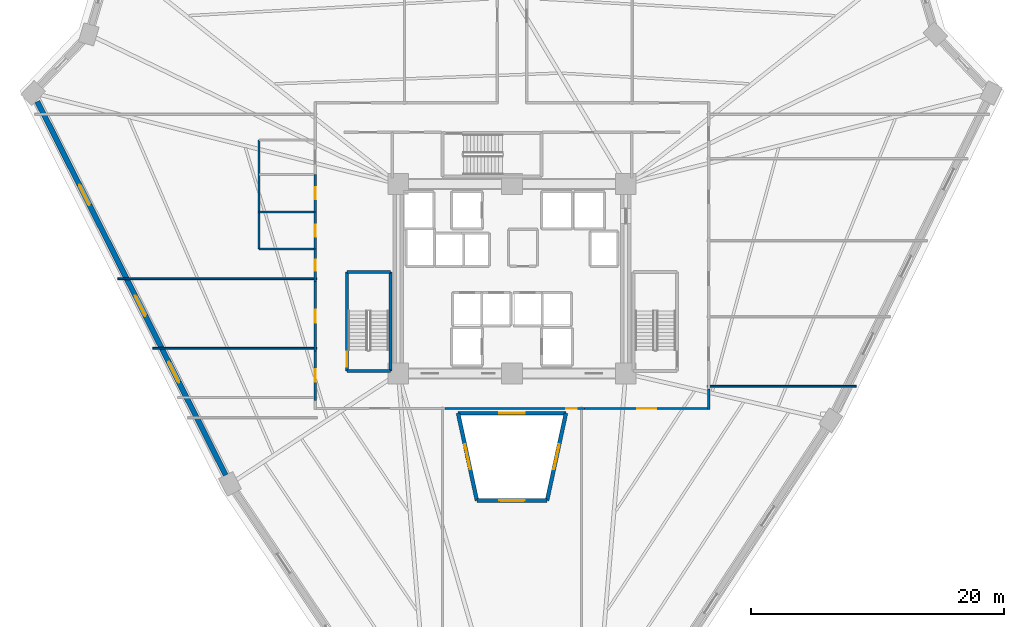
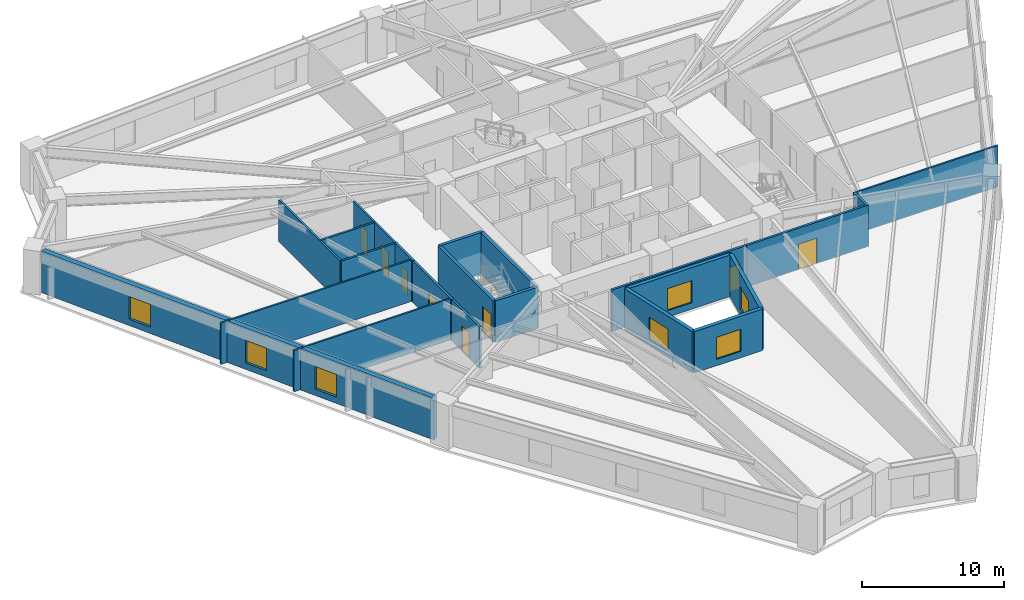
# One storey, part 3 of 9: 23 walls, 8 doors, 7 windows, 15 openings.
"""IFC4 building model written with IfcOpenShell, lengths in metres."""

from ifc_helpers import new_model, si_unit, direction, frame, frame_2d, origin, place, context, subcontext, project, spatial, rectangle, extrude, source, transform, mapped, material, layer, layer_set, type_object, element, fill, save


model = new_model("IFC4")

# Units and contexts
model_context = context("Model", 3, precision=1e-05, world=origin(), true_north=direction((0.0, 1.0)))
body_context = subcontext(model_context, "Body", "Model", "MODEL_VIEW")
ifc_project = project(units=[si_unit("LENGTHUNIT", "METRE"), si_unit("AREAUNIT", "SQUARE_METRE"), si_unit("VOLUMEUNIT", "CUBIC_METRE"), si_unit("PLANEANGLEUNIT", "RADIAN"), si_unit("MASSUNIT", "GRAM", prefix="KILO")], contexts=[model_context])

# Site, building, storey
site_placement = place(None, origin())
site = spatial("IfcSite", under=ifc_project, at=site_placement, CompositionType="ELEMENT")
building_placement = place(site_placement, origin())
building = spatial("IfcBuilding", under=site, at=building_placement, Name="Liaohun Quay Tower", CompositionType="ELEMENT")
storey_placement = place(building_placement, frame((0.0, 0.0, 74.25)))
storey = spatial("IfcBuildingStorey", under=building, at=storey_placement, Name="L19", CompositionType="ELEMENT", Elevation=74.25)

# Wall, opening, window
ifc_material_1 = material(Name="Concrete C50", Category="concrete")
ifc_layer_1 = layer(ifc_material_1, 0.300048828125, Name="Concrete C50", Category="concrete")
ifc_layer_set_1 = layer_set([ifc_layer_1], Name="Concrete C50")
wall_type_1 = type_object("IfcWallType", Name="WAL-ATR-300", PredefinedType="SOLIDWALL", material=ifc_layer_set_1)
wall_1_placement = place(storey_placement, frame((57.22607421875, 36.4609375, 0.0), z_axis=(0.0, 0.0, 1.0), x_axis=(-0.211368462484, 0.977406452336, 0.0)))
wall_1 = element("IfcWall", 1, at=wall_1_placement, inside=storey, type_object=wall_type_1, Name="L19 Atrium Fire Compartment Wall 1", PredefinedType="SOLIDWALL", context=body_context, shape_type="SweptSolid", body=[
    extrude(rectangle(XDim=7.06884765625, YDim=0.300048828125, at=frame_2d((3.534423828125, 0.0))), origin(), (0.0, 0.0, 1.0), 3.570068359375),
])
shared_shape_1 = source(origin(), body_context, "Body", "SweptSolid", [
    extrude(rectangle(XDim=2.0, YDim=1.89990234375, at=frame_2d((1.0, 0.949951171875))), frame((0.0, 0.159912109375, 0.0), z_axis=(0.0, -1.0, 0.0), x_axis=(1.0, 0.0, 0.0)), (0.0, 0.0, 1.0), 0.320068359375),
])
opening_1_placement = place(wall_1_placement, frame((2.533935546875, 0.0, 0.550048828125)))
opening_1 = element("IfcOpeningElement", 2, at=opening_1_placement, cuts=wall_1, Name="Opening W07", PredefinedType="OPENING", context=body_context, shape_type="MappedRepresentation", body=[
    mapped(shared_shape_1, transform((0.0, 0.0, 0.0), x_axis=(1.0, 0.0, 0.0), y_axis=(0.0, 1.0, 0.0), z_axis=(0.0, 0.0, 1.0), scale=1.0)),
])
ifc_material_2 = material(Name="Class A 180-min fire-resistant insulated glazing", Category="glass")
window_type_1 = type_object("IfcWindowType", Name="WIN-ATR-FIR", PartitioningType="DOUBLE_PANEL_VERTICAL", PredefinedType="WINDOW", material=ifc_material_2)
shared_shape_2 = source(origin(), body_context, "Body", "SweptSolid", [
    extrude(rectangle(XDim=2.0, YDim=1.89990234375, at=frame_2d((1.0, 0.949951171875))), frame((0.0, 0.030029296875, 0.0), z_axis=(0.0, -1.0, 0.0), x_axis=(1.0, 0.0, 0.0)), (0.0, 0.0, 1.0), 0.06005859375),
])
window_1_placement = place(opening_1_placement, origin())
window_1 = element("IfcWindow", 3, at=window_1_placement, inside=storey, type_object=window_type_1, Name="L19 Atrium Fire-Resistant Glazing W07-1", OverallHeight=1.89990234375, OverallWidth=2.0, PartitioningType="DOUBLE_PANEL_VERTICAL", PredefinedType="WINDOW", context=body_context, shape_type="MappedRepresentation", body=[
    mapped(shared_shape_2, transform((0.0, 0.0, 0.0), x_axis=(1.0, 0.0, 0.0), y_axis=(0.0, 1.0, 0.0), z_axis=(0.0, 0.0, 1.0), scale=1.0)),
])
fill(opening_1, window_1)

wall_2_placement = place(storey_placement, frame((55.73193359375, 43.3701171875, 0.0), z_axis=(0.0, 0.0, 1.0), x_axis=(1.0, 0.0, 0.0)))
wall_2 = element("IfcWall", 4, at=wall_2_placement, inside=storey, type_object=wall_type_1, Name="L19 Atrium Fire Compartment Wall 2", PredefinedType="SOLIDWALL", context=body_context, shape_type="SweptSolid", body=[
    extrude(rectangle(XDim=8.5361328125, YDim=0.300048828125, at=frame_2d((4.26806640625, 0.0))), origin(), (0.0, 0.0, 1.0), 3.570068359375),
])
opening_2_placement = place(wall_2_placement, frame((3.26806640625, 0.0, 0.550048828125)))
opening_2 = element("IfcOpeningElement", 5, at=opening_2_placement, cuts=wall_2, Name="Opening W07", PredefinedType="OPENING", context=body_context, shape_type="MappedRepresentation", body=[
    mapped(shared_shape_1, transform((0.0, 0.0, 0.0), x_axis=(1.0, 0.0, 0.0), y_axis=(0.0, 1.0, 0.0), z_axis=(0.0, 0.0, 1.0), scale=1.0)),
])
window_2_placement = place(opening_2_placement, origin())
window_2 = element("IfcWindow", 6, at=window_2_placement, inside=storey, type_object=window_type_1, Name="L19 Atrium Fire-Resistant Glazing W07-2", OverallHeight=1.89990234375, OverallWidth=2.0, PartitioningType="DOUBLE_PANEL_VERTICAL", PredefinedType="WINDOW", context=body_context, shape_type="MappedRepresentation", body=[
    mapped(shared_shape_2, transform((0.0, 0.0, 0.0), x_axis=(1.0, 0.0, 0.0), y_axis=(0.0, 1.0, 0.0), z_axis=(0.0, 0.0, 1.0), scale=1.0)),
])
fill(opening_2, window_2)

wall_3_placement = place(storey_placement, frame((64.26806640625, 43.3701171875, 0.0), z_axis=(0.0, 0.0, 1.0), x_axis=(-0.211368462484, -0.977406452336, 0.0)))
wall_3 = element("IfcWall", 7, at=wall_3_placement, inside=storey, type_object=wall_type_1, Name="L19 Atrium Fire Compartment Wall 3", PredefinedType="SOLIDWALL", context=body_context, shape_type="SweptSolid", body=[
    extrude(rectangle(XDim=7.06884765625, YDim=0.300048828125, at=frame_2d((3.534423828125, 0.0))), origin(), (0.0, 0.0, 1.0), 3.570068359375),
])
opening_3_placement = place(wall_3_placement, frame((2.533935546875, 0.0, 0.550048828125)))
opening_3 = element("IfcOpeningElement", 8, at=opening_3_placement, cuts=wall_3, Name="Opening W07", PredefinedType="OPENING", context=body_context, shape_type="MappedRepresentation", body=[
    mapped(shared_shape_1, transform((0.0, 0.0, 0.0), x_axis=(1.0, 0.0, 0.0), y_axis=(0.0, 1.0, 0.0), z_axis=(0.0, 0.0, 1.0), scale=1.0)),
])
window_3_placement = place(opening_3_placement, origin())
window_3 = element("IfcWindow", 9, at=window_3_placement, inside=storey, type_object=window_type_1, Name="L19 Atrium Fire-Resistant Glazing W07-3", OverallHeight=1.89990234375, OverallWidth=2.0, PartitioningType="DOUBLE_PANEL_VERTICAL", PredefinedType="WINDOW", context=body_context, shape_type="MappedRepresentation", body=[
    mapped(shared_shape_2, transform((0.0, 0.0, 0.0), x_axis=(1.0, 0.0, 0.0), y_axis=(0.0, 1.0, 0.0), z_axis=(0.0, 0.0, 1.0), scale=1.0)),
])
fill(opening_3, window_3)

wall_4_placement = place(storey_placement, frame((62.77392578125, 36.4609375, 0.0), z_axis=(0.0, 0.0, 1.0), x_axis=(-1.0, 0.0, 0.0)))
wall_4 = element("IfcWall", 10, at=wall_4_placement, inside=storey, type_object=wall_type_1, Name="L19 Atrium Fire Compartment Wall 4", PredefinedType="SOLIDWALL", context=body_context, shape_type="SweptSolid", body=[
    extrude(rectangle(XDim=5.5478515625, YDim=0.300048828125, at=frame_2d((2.77392578125, 0.0))), origin(), (0.0, 0.0, 1.0), 3.570068359375),
])
opening_4_placement = place(wall_4_placement, frame((1.77392578125, 0.0, 0.550048828125)))
opening_4 = element("IfcOpeningElement", 11, at=opening_4_placement, cuts=wall_4, Name="Opening W07", PredefinedType="OPENING", context=body_context, shape_type="MappedRepresentation", body=[
    mapped(shared_shape_1, transform((0.0, 0.0, 0.0), x_axis=(1.0, 0.0, 0.0), y_axis=(0.0, 1.0, 0.0), z_axis=(0.0, 0.0, 1.0), scale=1.0)),
])
window_4_placement = place(opening_4_placement, origin())
window_4 = element("IfcWindow", 12, at=window_4_placement, inside=storey, type_object=window_type_1, Name="L19 Atrium Fire-Resistant Glazing W07-4", OverallHeight=1.89990234375, OverallWidth=2.0, PartitioningType="DOUBLE_PANEL_VERTICAL", PredefinedType="WINDOW", context=body_context, shape_type="MappedRepresentation", body=[
    mapped(shared_shape_2, transform((0.0, 0.0, 0.0), x_axis=(1.0, 0.0, 0.0), y_axis=(0.0, 1.0, 0.0), z_axis=(0.0, 0.0, 1.0), scale=1.0)),
])
fill(opening_4, window_4)

# Wall, openings, windows
ifc_material_3 = material(Name="Precast concrete C50 insulated sandwich", Category="concrete")
ifc_layer_2 = layer(ifc_material_3, 0.419921875, Name="Precast concrete C50 insulated sandwich", Category="concrete")
ifc_layer_set_2 = layer_set([ifc_layer_2], Name="Precast concrete C50 insulated sandwich")
wall_type_2 = type_object("IfcWallType", Name="WAL-EXT-Z12", PredefinedType="SOLIDWALL", material=ifc_layer_set_2)
wall_5_placement = place(storey_placement, frame((22.4619140625, 68.010009765625, 0.0), z_axis=(0.0, 0.0, 1.0), x_axis=(0.450259201953, -0.89289789509, 0.0)))
wall_5 = element("IfcWall", 13, at=wall_5_placement, inside=storey, type_object=wall_type_2, Name="L19 Brutalist Precast Pier Wall 10", PredefinedType="SOLIDWALL", context=body_context, shape_type="SweptSolid", body=[
    extrude(rectangle(XDim=33.094482421875, YDim=0.419921875, at=frame_2d((16.54736328125, 0.0))), origin(), (0.0, 0.0, 1.0), 3.570068359375),
])
shared_shape_3 = source(origin(), body_context, "Body", "SweptSolid", [
    extrude(rectangle(XDim=1.800048828125, YDim=1.949951171875, at=frame_2d((0.89990234375, 0.97509765625))), frame((0.0, 0.219970703125, 0.0), z_axis=(0.0, -1.0, 0.0), x_axis=(1.0, 0.0, 0.0)), (0.0, 0.0, 1.0), 0.43994140625),
])
opening_5_placement = place(wall_5_placement, frame((7.3740234375, 0.0, 0.550048828125)))
opening_5 = element("IfcOpeningElement", 14, at=opening_5_placement, cuts=wall_5, Name="Opening W01", PredefinedType="OPENING", context=body_context, shape_type="MappedRepresentation", body=[
    mapped(shared_shape_3, transform((0.0, 0.0, 0.0), x_axis=(1.0, 0.0, 0.0), y_axis=(0.0, 1.0, 0.0), z_axis=(0.0, 0.0, 1.0), scale=1.0)),
])
opening_6_placement = place(wall_5_placement, frame((17.197021484375, 0.0, 0.550048828125)))
opening_6 = element("IfcOpeningElement", 15, at=opening_6_placement, cuts=wall_5, Name="Opening W01", PredefinedType="OPENING", context=body_context, shape_type="MappedRepresentation", body=[
    mapped(shared_shape_3, transform((0.0, 0.0, 0.0), x_axis=(1.0, 0.0, 0.0), y_axis=(0.0, 1.0, 0.0), z_axis=(0.0, 0.0, 1.0), scale=1.0)),
])
opening_7_placement = place(wall_5_placement, frame((23.071044921875, 0.0, 0.550048828125)))
opening_7 = element("IfcOpeningElement", 16, at=opening_7_placement, cuts=wall_5, Name="Opening W01", PredefinedType="OPENING", context=body_context, shape_type="MappedRepresentation", body=[
    mapped(shared_shape_3, transform((0.0, 0.0, 0.0), x_axis=(1.0, 0.0, 0.0), y_axis=(0.0, 1.0, 0.0), z_axis=(0.0, 0.0, 1.0), scale=1.0)),
])
ifc_material_4 = material(Name="Triple Low-E argon glazing in thermally broken aluminium", Category="aluminium")
window_type_2 = type_object("IfcWindowType", Name="WIN-PUN-Z1", PartitioningType="DOUBLE_PANEL_VERTICAL", PredefinedType="WINDOW", material=ifc_material_4)
shared_shape_4 = source(origin(), body_context, "Body", "SweptSolid", [
    extrude(rectangle(XDim=1.800048828125, YDim=1.949951171875, at=frame_2d((0.89990234375, 0.97509765625))), frame((0.0, 0.030029296875, 0.0), z_axis=(0.0, -1.0, 0.0), x_axis=(1.0, 0.0, 0.0)), (0.0, 0.0, 1.0), 0.06005859375),
])
window_5_placement = place(opening_5_placement, origin())
window_5 = element("IfcWindow", 17, at=window_5_placement, inside=storey, type_object=window_type_2, Name="L19 Recessed Cold-Climate Punched Window 10-1", OverallHeight=1.949951171875, OverallWidth=1.800048828125, PartitioningType="DOUBLE_PANEL_VERTICAL", PredefinedType="WINDOW", context=body_context, shape_type="MappedRepresentation", body=[
    mapped(shared_shape_4, transform((0.0, 0.0, 0.0), x_axis=(1.0, 0.0, 0.0), y_axis=(0.0, 1.0, 0.0), z_axis=(0.0, 0.0, 1.0), scale=1.0)),
])
fill(opening_5, window_5)
window_6_placement = place(opening_6_placement, origin())
window_6 = element("IfcWindow", 18, at=window_6_placement, inside=storey, type_object=window_type_2, Name="L19 Recessed Cold-Climate Punched Window 10-2", OverallHeight=1.949951171875, OverallWidth=1.800048828125, PartitioningType="DOUBLE_PANEL_VERTICAL", PredefinedType="WINDOW", context=body_context, shape_type="MappedRepresentation", body=[
    mapped(shared_shape_4, transform((0.0, 0.0, 0.0), x_axis=(1.0, 0.0, 0.0), y_axis=(0.0, 1.0, 0.0), z_axis=(0.0, 0.0, 1.0), scale=1.0)),
])
fill(opening_6, window_6)
window_7_placement = place(opening_7_placement, origin())
window_7 = element("IfcWindow", 19, at=window_7_placement, inside=storey, type_object=window_type_2, Name="L19 Recessed Cold-Climate Punched Window 10-3", OverallHeight=1.949951171875, OverallWidth=1.800048828125, PartitioningType="DOUBLE_PANEL_VERTICAL", PredefinedType="WINDOW", context=body_context, shape_type="MappedRepresentation", body=[
    mapped(shared_shape_4, transform((0.0, 0.0, 0.0), x_axis=(1.0, 0.0, 0.0), y_axis=(0.0, 1.0, 0.0), z_axis=(0.0, 0.0, 1.0), scale=1.0)),
])
fill(opening_7, window_7)

# Wall, opening, door
ifc_material_5 = material(Name="Autoclaved aerated concrete blockwork", Category="masonry")
ifc_layer_3 = layer(ifc_material_5, 0.179931640625, Name="Autoclaved aerated concrete blockwork", Category="masonry")
ifc_layer_set_3 = layer_set([ifc_layer_3], Name="Autoclaved aerated concrete blockwork")
wall_type_3 = type_object("IfcWallType", Name="WAL-PRT-COR", PredefinedType="PARTITIONING", material=ifc_layer_set_3)
wall_6_placement = place(storey_placement, frame((44.43994140625, 53.784912109375, 0.0), z_axis=(0.0, 0.0, 1.0), x_axis=(0.0, 1.0, 0.0)))
wall_6 = element("IfcWall", 20, at=wall_6_placement, inside=storey, type_object=wall_type_3, Name="L19 Interior Partition Wall 016", PredefinedType="PARTITIONING", context=body_context, shape_type="SweptSolid", body=[
    extrude(rectangle(XDim=2.55517578125, YDim=0.179931640625, at=frame_2d((1.277587890625, 0.0))), origin(), (0.0, 0.0, 1.0), 3.570068359375),
])
shared_shape_5 = source(origin(), body_context, "Body", "SweptSolid", [
    extrude(rectangle(XDim=0.85009765625, YDim=2.10009765625, at=frame_2d((0.425048828125, 1.050048828125))), frame((0.0, 0.099853515625, 0.0), z_axis=(0.0, -1.0, 0.0), x_axis=(1.0, 0.0, 0.0)), (0.0, 0.0, 1.0), 0.199951171875),
])
opening_8_placement = place(wall_6_placement, frame((0.85302734375, 0.0, 0.0)))
opening_8 = element("IfcOpeningElement", 21, at=opening_8_placement, cuts=wall_6, Name="Opening AD1", PredefinedType="OPENING", context=body_context, shape_type="MappedRepresentation", body=[
    mapped(shared_shape_5, transform((0.0, 0.0, 0.0), x_axis=(1.0, 0.0, 0.0), y_axis=(0.0, 1.0, 0.0), z_axis=(0.0, 0.0, 1.0), scale=1.0)),
])
ifc_material_6 = material(Name="Steel riser inspection fire door", Category="steel")
door_type_1 = type_object("IfcDoorType", Name="DOR-SHF-850", OperationType="NOTDEFINED", PredefinedType="DOOR", material=ifc_material_6)
shared_shape_6 = source(origin(), body_context, "Body", "SweptSolid", [
    extrude(rectangle(XDim=0.85009765625, YDim=2.10009765625, at=frame_2d((0.425048828125, 1.050048828125))), frame((0.0, 0.02490234375, 0.0), z_axis=(0.0, -1.0, 0.0), x_axis=(1.0, 0.0, 0.0)), (0.0, 0.0, 1.0), 0.050048828125),
])
door_1_placement = place(opening_8_placement, origin())
door_1 = element("IfcDoor", 22, at=door_1_placement, inside=storey, type_object=door_type_1, Name="L19 Occupational Wellness Clinic 08 Door", OperationType="SINGLE_SWING_RIGHT", OverallHeight=2.10009765625, OverallWidth=0.85009765625, PredefinedType="DOOR", context=body_context, shape_type="MappedRepresentation", body=[
    mapped(shared_shape_6, transform((0.0, 0.0, 0.0), x_axis=(1.0, 0.0, 0.0), y_axis=(0.0, 1.0, 0.0), z_axis=(0.0, 0.0, 1.0), scale=1.0)),
])
fill(opening_8, door_1)

wall_7_placement = place(storey_placement, frame((44.43994140625, 48.284912109375, 0.0), z_axis=(0.0, 0.0, 1.0), x_axis=(0.0, 1.0, 0.0)))
wall_7 = element("IfcWall", 23, at=wall_7_placement, inside=storey, type_object=wall_type_3, Name="L19 Interior Partition Wall 017", PredefinedType="PARTITIONING", context=body_context, shape_type="SweptSolid", body=[
    extrude(rectangle(XDim=5.5, YDim=0.179931640625, at=frame_2d((2.75, 0.0))), origin(), (0.0, 0.0, 1.0), 3.570068359375),
])
shared_shape_7 = source(origin(), body_context, "Body", "SweptSolid", [
    extrude(rectangle(XDim=1.0, YDim=2.199951171875, at=frame_2d((0.5, 1.10009765625))), frame((0.0, 0.099853515625, 0.0), z_axis=(0.0, -1.0, 0.0), x_axis=(1.0, 0.0, 0.0)), (0.0, 0.0, 1.0), 0.199951171875),
])
opening_9_placement = place(wall_7_placement, frame((2.25, 0.0, 0.0)))
opening_9 = element("IfcOpeningElement", 24, at=opening_9_placement, cuts=wall_7, Name="Opening OD1", PredefinedType="OPENING", context=body_context, shape_type="MappedRepresentation", body=[
    mapped(shared_shape_7, transform((0.0, 0.0, 0.0), x_axis=(1.0, 0.0, 0.0), y_axis=(0.0, 1.0, 0.0), z_axis=(0.0, 0.0, 1.0), scale=1.0)),
])
ifc_material_7 = material(Name="Solid-core oak veneer timber leaf in steel frame", Category="steel")
door_type_2 = type_object("IfcDoorType", Name="DOR-OFF-1000", OperationType="NOTDEFINED", PredefinedType="DOOR", material=ifc_material_7)
shared_shape_8 = source(origin(), body_context, "Body", "SweptSolid", [
    extrude(rectangle(XDim=1.0, YDim=2.199951171875, at=frame_2d((0.5, 1.10009765625))), frame((0.0, 0.02490234375, 0.0), z_axis=(0.0, -1.0, 0.0), x_axis=(1.0, 0.0, 0.0)), (0.0, 0.0, 1.0), 0.050048828125),
])
door_2_placement = place(opening_9_placement, origin())
door_2 = element("IfcDoor", 25, at=door_2_placement, inside=storey, type_object=door_type_2, Name="L19 Records Archive Store 09 Door", OperationType="SINGLE_SWING_LEFT", OverallHeight=2.199951171875, OverallWidth=1.0, PredefinedType="DOOR", context=body_context, shape_type="MappedRepresentation", body=[
    mapped(shared_shape_8, transform((0.0, 0.0, 0.0), x_axis=(1.0, 0.0, 0.0), y_axis=(0.0, 1.0, 0.0), z_axis=(0.0, 0.0, 1.0), scale=1.0)),
])
fill(opening_9, door_2)

wall_8_placement = place(storey_placement, frame((44.43994140625, 44.385009765625, 0.0), z_axis=(0.0, 0.0, 1.0), x_axis=(0.0, 1.0, 0.0)))
wall_8 = element("IfcWall", 26, at=wall_8_placement, inside=storey, type_object=wall_type_3, Name="L19 Interior Partition Wall 018", PredefinedType="PARTITIONING", context=body_context, shape_type="SweptSolid", body=[
    extrude(rectangle(XDim=3.89990234375, YDim=0.179931640625, at=frame_2d((1.949951171875, 0.0))), origin(), (0.0, 0.0, 1.0), 3.570068359375),
])
opening_10_placement = place(wall_8_placement, frame((1.449951171875, 0.0, 0.0)))
opening_10 = element("IfcOpeningElement", 27, at=opening_10_placement, cuts=wall_8, Name="Opening OD1", PredefinedType="OPENING", context=body_context, shape_type="MappedRepresentation", body=[
    mapped(shared_shape_7, transform((0.0, 0.0, 0.0), x_axis=(1.0, 0.0, 0.0), y_axis=(0.0, 1.0, 0.0), z_axis=(0.0, 0.0, 1.0), scale=1.0)),
])
door_3_placement = place(opening_10_placement, origin())
door_3 = element("IfcDoor", 28, at=door_3_placement, inside=storey, type_object=door_type_2, Name="L19 Open-Plan Office Workplace 10 Door", OperationType="SINGLE_SWING_RIGHT", OverallHeight=2.199951171875, OverallWidth=1.0, PredefinedType="DOOR", context=body_context, shape_type="MappedRepresentation", body=[
    mapped(shared_shape_8, transform((0.0, 0.0, 0.0), x_axis=(1.0, 0.0, 0.0), y_axis=(0.0, 1.0, 0.0), z_axis=(0.0, 0.0, 1.0), scale=1.0)),
])
fill(opening_10, door_3)

wall_9_placement = place(storey_placement, frame((65.715087890625, 43.739990234375, 0.0), z_axis=(0.0, 0.0, 1.0), x_axis=(-1.0, 0.0, 0.0)))
wall_9 = element("IfcWall", 29, at=wall_9_placement, inside=storey, type_object=wall_type_3, Name="L19 Interior Partition Wall 020", PredefinedType="PARTITIONING", context=body_context, shape_type="SweptSolid", body=[
    extrude(rectangle(XDim=11.0, YDim=0.179931640625, at=frame_2d((5.5, 0.0))), origin(), (0.0, 0.0, 1.0), 3.570068359375),
])
opening_11_placement = place(wall_9_placement, frame((0.574951171875, 0.0, 0.0)))
opening_11 = element("IfcOpeningElement", 30, at=opening_11_placement, cuts=wall_9, Name="Opening AD1", PredefinedType="OPENING", context=body_context, shape_type="MappedRepresentation", body=[
    mapped(shared_shape_5, transform((0.0, 0.0, 0.0), x_axis=(1.0, 0.0, 0.0), y_axis=(0.0, 1.0, 0.0), z_axis=(0.0, 0.0, 1.0), scale=1.0)),
])
door_4_placement = place(opening_11_placement, origin())
door_4 = element("IfcDoor", 31, at=door_4_placement, inside=storey, type_object=door_type_1, Name="L19 Client Reception Office 12 Door", OperationType="SINGLE_SWING_RIGHT", OverallHeight=2.10009765625, OverallWidth=0.85009765625, PredefinedType="DOOR", context=body_context, shape_type="MappedRepresentation", body=[
    mapped(shared_shape_6, transform((0.0, 0.0, 0.0), x_axis=(1.0, 0.0, 0.0), y_axis=(0.0, 1.0, 0.0), z_axis=(0.0, 0.0, 1.0), scale=1.0)),
])
fill(opening_11, door_4)

wall_10_placement = place(storey_placement, frame((75.6298828125, 43.739990234375, 0.0), z_axis=(0.0, 0.0, 1.0), x_axis=(-1.0, 0.0, 0.0)))
wall_10 = element("IfcWall", 32, at=wall_10_placement, inside=storey, type_object=wall_type_3, Name="L19 Interior Partition Wall 021", PredefinedType="PARTITIONING", context=body_context, shape_type="SweptSolid", body=[
    extrude(rectangle(XDim=9.914794921875, YDim=0.179931640625, at=frame_2d((4.95751953125, 0.0))), origin(), (0.0, 0.0, 1.0), 3.570068359375),
])
shared_shape_9 = source(origin(), body_context, "Body", "SweptSolid", [
    extrude(rectangle(XDim=1.5, YDim=2.199951171875, at=frame_2d((0.75, 1.10009765625))), frame((0.0, 0.099853515625, 0.0), z_axis=(0.0, -1.0, 0.0), x_axis=(1.0, 0.0, 0.0)), (0.0, 0.0, 1.0), 0.199951171875),
])
opening_12_placement = place(wall_10_placement, frame((4.20703125, 0.0, 0.0)))
opening_12 = element("IfcOpeningElement", 33, at=opening_12_placement, cuts=wall_10, Name="Opening OD2", PredefinedType="OPENING", context=body_context, shape_type="MappedRepresentation", body=[
    mapped(shared_shape_9, transform((0.0, 0.0, 0.0), x_axis=(1.0, 0.0, 0.0), y_axis=(0.0, 1.0, 0.0), z_axis=(0.0, 0.0, 1.0), scale=1.0)),
])
ifc_material_8 = material(Name="Acoustic oak veneer double door")
door_type_3 = type_object("IfcDoorType", Name="DOR-OFF-1500", OperationType="DOUBLE_DOOR_SINGLE_SWING", PredefinedType="DOOR", material=ifc_material_8)
shared_shape_10 = source(origin(), body_context, "Body", "SweptSolid", [
    extrude(rectangle(XDim=1.5, YDim=2.199951171875, at=frame_2d((0.75, 1.10009765625))), frame((0.0, 0.02490234375, 0.0), z_axis=(0.0, -1.0, 0.0), x_axis=(1.0, 0.0, 0.0)), (0.0, 0.0, 1.0), 0.050048828125),
])
door_5_placement = place(opening_12_placement, origin())
door_5 = element("IfcDoor", 34, at=door_5_placement, inside=storey, type_object=door_type_3, Name="L19 Regional Advisory Office 13 Door", OperationType="DOUBLE_DOOR_SINGLE_SWING", OverallHeight=2.199951171875, OverallWidth=1.5, PredefinedType="DOOR", context=body_context, shape_type="MappedRepresentation", body=[
    mapped(shared_shape_10, transform((0.0, 0.0, 0.0), x_axis=(1.0, 0.0, 0.0), y_axis=(0.0, 1.0, 0.0), z_axis=(0.0, 0.0, 1.0), scale=1.0)),
])
fill(opening_12, door_5)

# Walls
wall_11_placement = place(storey_placement, frame((75.56005859375, 45.284912109375, 0.0), z_axis=(0.0, 0.0, 1.0), x_axis=(0.0, -1.0, 0.0)))
element("IfcWall", 35, at=wall_11_placement, inside=storey, type_object=wall_type_3, Name="L19 Interior Partition Wall 039", PredefinedType="PARTITIONING", context=body_context, shape_type="SweptSolid", body=[
    extrude(rectangle(XDim=1.614990234375, YDim=0.179931640625, at=frame_2d((0.8076171875, 0.0))), origin(), (0.0, 0.0, 1.0), 3.570068359375),
])
ifc_material_9 = material(Name="Gypsum board on twin steel studs", Category="steel")
ifc_layer_4 = layer(ifc_material_9, 0.139892578125, Name="Gypsum board on twin steel studs", Category="steel")
ifc_layer_set_4 = layer_set([ifc_layer_4], Name="Gypsum board on twin steel studs")
wall_type_4 = type_object("IfcWallType", Name="WAL-PRT-OFF", PredefinedType="PARTITIONING", material=ifc_layer_set_4)
wall_12_placement = place(storey_placement, frame((44.5400390625, 48.5, 0.0), z_axis=(0.0, 0.0, 1.0), x_axis=(-1.0, 0.0, 0.0)))
element("IfcWall", 36, at=wall_12_placement, inside=storey, type_object=wall_type_4, Name="L19 Interior Partition Wall 042", PredefinedType="PARTITIONING", context=body_context, shape_type="SweptSolid", body=[
    extrude(rectangle(XDim=12.946044921875, YDim=0.139892578125, at=frame_2d((6.47314453125, 0.0))), origin(), (0.0, 0.0, 1.0), 3.570068359375),
])
wall_13_placement = place(storey_placement, frame((44.5400390625, 54.0, 0.0), z_axis=(0.0, 0.0, 1.0), x_axis=(-1.0, 0.0, 0.0)))
element("IfcWall", 37, at=wall_13_placement, inside=storey, type_object=wall_type_4, Name="L19 Interior Partition Wall 043", PredefinedType="PARTITIONING", context=body_context, shape_type="SweptSolid", body=[
    extrude(rectangle(XDim=15.718994140625, YDim=0.139892578125, at=frame_2d((7.859375, 0.0))), origin(), (0.0, 0.0, 1.0), 3.570068359375),
])
wall_14_placement = place(storey_placement, frame((75.4599609375, 45.5, 0.0), z_axis=(0.0, 0.0, 1.0), x_axis=(1.0, 0.0, 0.0)))
element("IfcWall", 38, at=wall_14_placement, inside=storey, type_object=wall_type_4, Name="L19 Interior Partition Wall 045", PredefinedType="PARTITIONING", context=body_context, shape_type="SweptSolid", body=[
    extrude(rectangle(XDim=11.759033203125, YDim=0.139892578125, at=frame_2d((5.87939453125, 0.0))), origin(), (0.0, 0.0, 1.0), 3.570068359375),
])

# Wall, opening, door
ifc_material_10 = material(Name="Moisture-resistant masonry blockwork", Category="masonry")
ifc_layer_5 = layer(ifc_material_10, 0.159912109375, Name="Moisture-resistant masonry blockwork", Category="masonry")
ifc_layer_set_5 = layer_set([ifc_layer_5], Name="Moisture-resistant masonry blockwork")
wall_type_5 = type_object("IfcWallType", Name="WAL-PRT-WET", PredefinedType="PARTITIONING", material=ifc_layer_set_5)
wall_15_placement = place(storey_placement, frame((44.43994140625, 56.340087890625, 0.0), z_axis=(0.0, 0.0, 1.0), x_axis=(0.0, 1.0, 0.0)))
wall_15 = element("IfcWall", 39, at=wall_15_placement, inside=storey, type_object=wall_type_5, Name="L19 Interior Partition Wall 002", PredefinedType="PARTITIONING", context=body_context, shape_type="SweptSolid", body=[
    extrude(rectangle(XDim=2.93994140625, YDim=0.159912109375, at=frame_2d((1.469970703125, 0.0))), origin(), (0.0, 0.0, 1.0), 3.570068359375),
])
shared_shape_11 = source(origin(), body_context, "Body", "SweptSolid", [
    extrude(rectangle(XDim=0.949951171875, YDim=2.14990234375, at=frame_2d((0.47509765625, 1.074951171875))), frame((0.0, 0.08984375, 0.0), z_axis=(0.0, -1.0, 0.0), x_axis=(1.0, 0.0, 0.0)), (0.0, 0.0, 1.0), 0.179931640625),
])
opening_13_placement = place(wall_15_placement, frame((0.9951171875, 0.0, 0.0)))
opening_13 = element("IfcOpeningElement", 40, at=opening_13_placement, cuts=wall_15, Name="Opening WD1", PredefinedType="OPENING", context=body_context, shape_type="MappedRepresentation", body=[
    mapped(shared_shape_11, transform((0.0, 0.0, 0.0), x_axis=(1.0, 0.0, 0.0), y_axis=(0.0, 1.0, 0.0), z_axis=(0.0, 0.0, 1.0), scale=1.0)),
])
ifc_material_11 = material(Name="Moisture-resistant laminate timber leaf", Category="wood")
door_type_4 = type_object("IfcDoorType", Name="DOR-WC-950", OperationType="NOTDEFINED", PredefinedType="DOOR", material=ifc_material_11)
shared_shape_12 = source(origin(), body_context, "Body", "SweptSolid", [
    extrude(rectangle(XDim=0.949951171875, YDim=2.14990234375, at=frame_2d((0.47509765625, 1.074951171875))), frame((0.0, 0.02490234375, 0.0), z_axis=(0.0, -1.0, 0.0), x_axis=(1.0, 0.0, 0.0)), (0.0, 0.0, 1.0), 0.050048828125),
])
door_6_placement = place(opening_13_placement, origin())
door_6 = element("IfcDoor", 41, at=door_6_placement, inside=storey, type_object=door_type_4, Name="L19 Male Restroom WC Door", OperationType="SINGLE_SWING_RIGHT", OverallHeight=2.14990234375, OverallWidth=0.949951171875, PredefinedType="DOOR", context=body_context, shape_type="MappedRepresentation", body=[
    mapped(shared_shape_12, transform((0.0, 0.0, 0.0), x_axis=(1.0, 0.0, 0.0), y_axis=(0.0, 1.0, 0.0), z_axis=(0.0, 0.0, 1.0), scale=1.0)),
])
fill(opening_13, door_6)

wall_16_placement = place(storey_placement, frame((44.43994140625, 59.280029296875, 0.0), z_axis=(0.0, 0.0, 1.0), x_axis=(0.0, 1.0, 0.0)))
wall_16 = element("IfcWall", 42, at=wall_16_placement, inside=storey, type_object=wall_type_5, Name="L19 Interior Partition Wall 003", PredefinedType="PARTITIONING", context=body_context, shape_type="SweptSolid", body=[
    extrude(rectangle(XDim=2.9599609375, YDim=0.159912109375, at=frame_2d((1.47998046875, 0.0))), origin(), (0.0, 0.0, 1.0), 3.570068359375),
])
opening_14_placement = place(wall_16_placement, frame((1.0048828125, 0.0, 0.0)))
opening_14 = element("IfcOpeningElement", 43, at=opening_14_placement, cuts=wall_16, Name="Opening WD1", PredefinedType="OPENING", context=body_context, shape_type="MappedRepresentation", body=[
    mapped(shared_shape_11, transform((0.0, 0.0, 0.0), x_axis=(1.0, 0.0, 0.0), y_axis=(0.0, 1.0, 0.0), z_axis=(0.0, 0.0, 1.0), scale=1.0)),
])
door_7_placement = place(opening_14_placement, origin())
door_7 = element("IfcDoor", 44, at=door_7_placement, inside=storey, type_object=door_type_4, Name="L19 Female Restroom WC Door", OperationType="SINGLE_SWING_LEFT", OverallHeight=2.14990234375, OverallWidth=0.949951171875, PredefinedType="DOOR", context=body_context, shape_type="MappedRepresentation", body=[
    mapped(shared_shape_12, transform((0.0, 0.0, 0.0), x_axis=(1.0, 0.0, 0.0), y_axis=(0.0, 1.0, 0.0), z_axis=(0.0, 0.0, 1.0), scale=1.0)),
])
fill(opening_14, door_7)

# Walls
wall_17_placement = place(storey_placement, frame((39.97998046875, 56.340087890625, 0.0), z_axis=(0.0, 0.0, 1.0), x_axis=(0.0, 1.0, 0.0)))
element("IfcWall", 45, at=wall_17_placement, inside=storey, type_object=wall_type_5, Name="L19 Interior Partition Wall 026", PredefinedType="PARTITIONING", context=body_context, shape_type="SweptSolid", body=[
    extrude(rectangle(XDim=8.639892578125, YDim=0.159912109375, at=frame_2d((4.31982421875, 0.0))), origin(), (0.0, 0.0, 1.0), 3.570068359375),
])
for number, where, z_axis, x_axis, name in (
    (46, (39.97998046875, 56.340087890625, 0.0), (0.0, 0.0, 1.0), (1.0, 0.0, 0.0), "L19 Interior Partition Wall 027"),
    (47, (39.97998046875, 59.280029296875, 0.0), (0.0, 0.0, 1.0), (1.0, 0.0, 0.0), "L19 Interior Partition Wall 028"),
):
    element("IfcWall", number, at=place(storey_placement, frame(where, z_axis=z_axis, x_axis=x_axis)), inside=storey, type_object=wall_type_5, Name=name, PredefinedType="PARTITIONING", context=body_context, shape_type="SweptSolid", body=[
        extrude(rectangle(XDim=4.4599609375, YDim=0.159912109375, at=frame_2d((2.22998046875, 0.0))), origin(), (0.0, 0.0, 1.0), 3.570068359375),
    ])
ifc_layer_6 = layer(ifc_material_1, 0.239990234375, Name="Concrete C50", Category="concrete")
ifc_layer_set_6 = layer_set([ifc_layer_6], Name="Concrete C50")
wall_type_6 = type_object("IfcWallType", Name="WAL-SHF-200", PredefinedType="SOLIDWALL", material=ifc_layer_set_6)
wall_18_placement = place(storey_placement, frame((46.93994140625, 46.699951171875, 0.0), z_axis=(0.0, 0.0, 1.0), x_axis=(1.0, 0.0, 0.0)))
element("IfcWall", 48, at=wall_18_placement, inside=storey, type_object=wall_type_6, Name="L19 Stairwell ST-1 Structural Core Wall S", PredefinedType="SOLIDWALL", context=body_context, shape_type="SweptSolid", body=[
    extrude(rectangle(XDim=3.43994140625, YDim=0.239990234375, at=frame_2d((1.719970703125, 0.0))), origin(), (0.0, 0.0, 1.0), 3.570068359375),
])
wall_19_placement = place(storey_placement, frame((50.3798828125, 46.699951171875, 0.0), z_axis=(0.0, 0.0, 1.0), x_axis=(0.0, 1.0, 0.0)))
element("IfcWall", 49, at=wall_19_placement, inside=storey, type_object=wall_type_6, Name="L19 Stairwell ST-1 Structural Core Wall E", PredefinedType="SOLIDWALL", context=body_context, shape_type="SweptSolid", body=[
    extrude(rectangle(XDim=7.820068359375, YDim=0.239990234375, at=frame_2d((3.91015625, 0.0))), origin(), (0.0, 0.0, 1.0), 3.570068359375),
])
wall_20_placement = place(storey_placement, frame((50.3798828125, 54.52001953125, 0.0), z_axis=(0.0, 0.0, 1.0), x_axis=(-1.0, 0.0, 0.0)))
element("IfcWall", 50, at=wall_20_placement, inside=storey, type_object=wall_type_6, Name="L19 Stairwell ST-1 Structural Core Wall N", PredefinedType="SOLIDWALL", context=body_context, shape_type="SweptSolid", body=[
    extrude(rectangle(XDim=3.43994140625, YDim=0.239990234375, at=frame_2d((1.719970703125, 0.0))), origin(), (0.0, 0.0, 1.0), 3.570068359375),
])

# Wall, opening, door
wall_21_placement = place(storey_placement, frame((46.93994140625, 54.52001953125, 0.0), z_axis=(0.0, 0.0, 1.0), x_axis=(0.0, -1.0, 0.0)))
wall_21 = element("IfcWall", 51, at=wall_21_placement, inside=storey, type_object=wall_type_6, Name="L19 Stairwell ST-1 Structural Core Wall W", PredefinedType="SOLIDWALL", context=body_context, shape_type="SweptSolid", body=[
    extrude(rectangle(XDim=7.820068359375, YDim=0.239990234375, at=frame_2d((3.91015625, 0.0))), origin(), (0.0, 0.0, 1.0), 3.570068359375),
])
shared_shape_13 = source(origin(), body_context, "Body", "SweptSolid", [
    extrude(rectangle(XDim=1.199951171875, YDim=2.199951171875, at=frame_2d((0.60009765625, 1.10009765625))), frame((0.0, 0.1298828125, 0.0), z_axis=(0.0, -1.0, 0.0), x_axis=(1.0, 0.0, 0.0)), (0.0, 0.0, 1.0), 0.260009765625),
])
opening_15_placement = place(wall_21_placement, frame((6.300048828125, 0.0, 0.0)))
opening_15 = element("IfcOpeningElement", 52, at=opening_15_placement, cuts=wall_21, Name="Opening SD1", PredefinedType="OPENING", context=body_context, shape_type="MappedRepresentation", body=[
    mapped(shared_shape_13, transform((0.0, 0.0, 0.0), x_axis=(1.0, 0.0, 0.0), y_axis=(0.0, 1.0, 0.0), z_axis=(0.0, 0.0, 1.0), scale=1.0)),
])
ifc_material_12 = material(Name="Galvanised steel fire door", Category="steel")
door_type_5 = type_object("IfcDoorType", Name="DOR-STR-1200", OperationType="NOTDEFINED", PredefinedType="DOOR", material=ifc_material_12)
shared_shape_14 = source(origin(), body_context, "Body", "SweptSolid", [
    extrude(rectangle(XDim=1.199951171875, YDim=2.199951171875, at=frame_2d((0.60009765625, 1.10009765625))), frame((0.0, 0.02490234375, 0.0), z_axis=(0.0, -1.0, 0.0), x_axis=(1.0, 0.0, 0.0)), (0.0, 0.0, 1.0), 0.050048828125),
])
door_8_placement = place(opening_15_placement, origin())
door_8 = element("IfcDoor", 53, at=door_8_placement, inside=storey, type_object=door_type_5, Name="L19 Protected Stair ST-1 Fire Door", OperationType="SINGLE_SWING_LEFT", OverallHeight=2.199951171875, OverallWidth=1.199951171875, PredefinedType="DOOR", context=body_context, shape_type="MappedRepresentation", body=[
    mapped(shared_shape_14, transform((0.0, 0.0, 0.0), x_axis=(1.0, 0.0, 0.0), y_axis=(0.0, 1.0, 0.0), z_axis=(0.0, 0.0, 1.0), scale=1.0)),
])
fill(opening_15, door_8)

save(model, "model.ifc")
